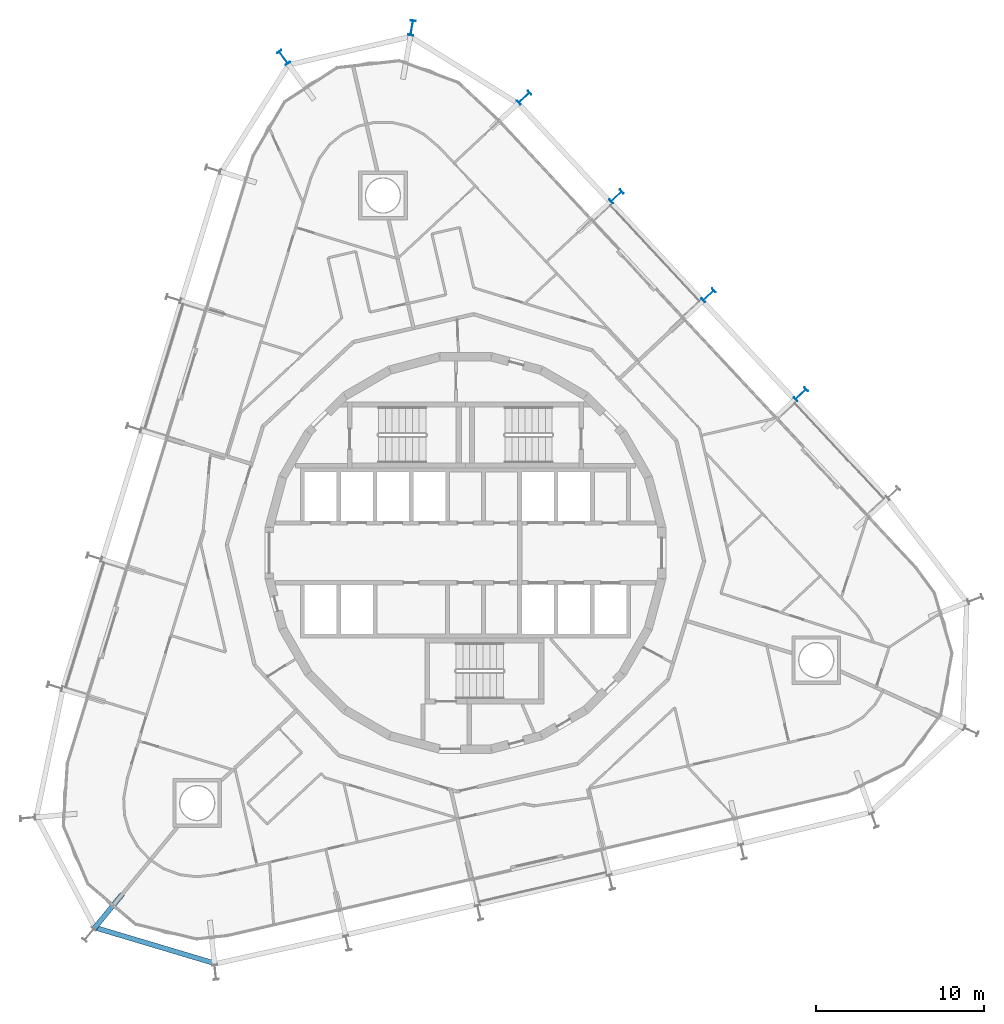
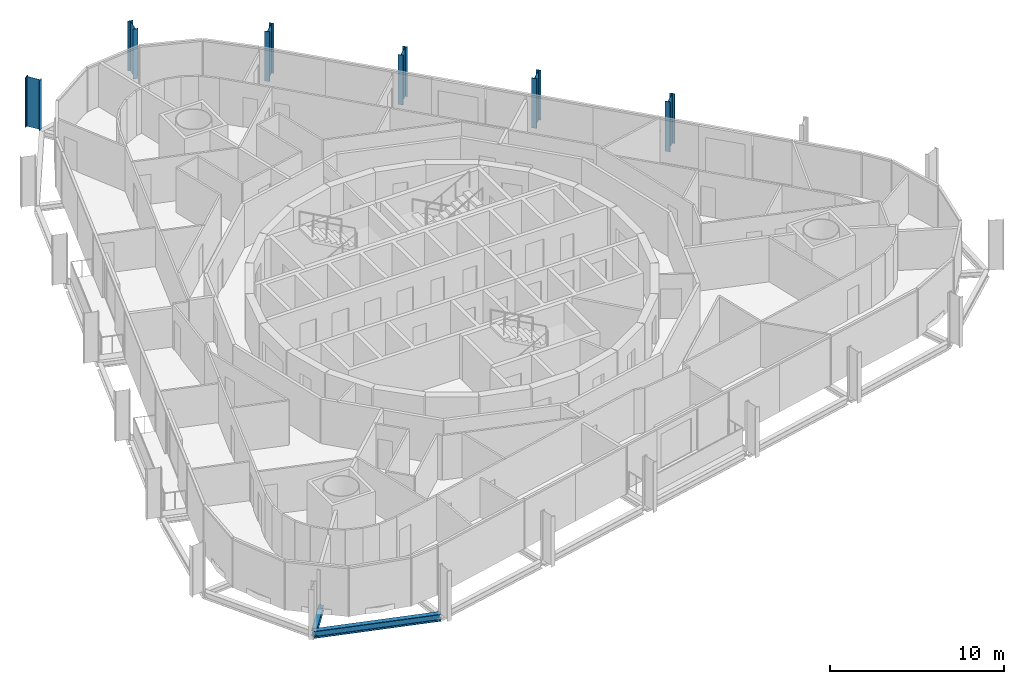
# One storey, part 2 of 18: 6 columns, 2 beams.
"""IFC4 building model written with IfcOpenShell, lengths in metres."""

from ifc_helpers import new_model, si_unit, direction, frame, origin, origin_2d, place, context, subcontext, project, spatial, i_section, extrude, material, material_profile, profile_set, type_object, element, save


model = new_model("IFC4")

# Units and contexts
model_context = context("Model", 3, precision=1e-05, world=origin(), true_north=direction((0.0, 1.0)))
body_context = subcontext(model_context, "Body", "Model", "MODEL_VIEW")
ifc_project = project(units=[si_unit("LENGTHUNIT", "METRE"), si_unit("AREAUNIT", "SQUARE_METRE"), si_unit("VOLUMEUNIT", "CUBIC_METRE"), si_unit("PLANEANGLEUNIT", "RADIAN"), si_unit("MASSUNIT", "GRAM", prefix="KILO")], contexts=[model_context])

# Site, building, storey
site_placement = place(None, origin())
site = spatial("IfcSite", under=ifc_project, at=site_placement, CompositionType="ELEMENT")
building_placement = place(site_placement, origin())
building = spatial("IfcBuilding", under=site, at=building_placement, Name="Spindle Arch Residences", CompositionType="ELEMENT")
storey_placement = place(building_placement, frame((0.0, 0.0, 116.89990234375)))
storey = spatial("IfcBuildingStorey", under=building, at=storey_placement, Name="L28", CompositionType="ELEMENT", Elevation=116.89990234375)

# Columns
ifc_material_1 = material(Name="Steel S460ML, intumescent coating R 240", Category="steel")
ifc_material_profile_1 = material_profile(ifc_material_1, i_section(OverallWidth=0.300048828125, OverallDepth=0.89990234375, WebThickness=0.0185546875, FlangeThickness=0.034912109375, FilletRadius=0.030029296875, at=origin_2d()), Name="HEB 900")
ifc_profile_set_1 = profile_set([ifc_material_profile_1], Name="Steel S460ML, intumescent coating R 240")
column_type = type_object("IfcColumnType", Name="Exoskeleton post HEB 900", PredefinedType="COLUMN", material=ifc_profile_set_1)
for number, where, z_axis, x_axis, name in (
    (1, (19.9150390625, 9.42236328125, -0.3798828125), (0.0, 0.0, 1.0), (0.68199801865, -0.731354019992, 0.0), "Exoskeleton post 7"),
    (2, (14.439208984375, 15.29443359375, -0.3798828125), (0.0, 0.0, 1.0), (0.68199801865, -0.731354019992, 0.0), "Exoskeleton post 8"),
    (3, (8.963134765625, 21.16650390625, -0.3798828125), (0.0, 0.0, 1.0), (0.68199801865, -0.731354019992, 0.0), "Exoskeleton post 9"),
    (4, (3.4873046875, 27.038818359375, -0.3798828125), (0.0, 0.0, 1.0), (0.68199801865, -0.731354019992, 0.0), "Exoskeleton post 10"),
    (5, (-3.185302734375, 31.177001953125, -0.3798828125), (0.0, 0.0, 1.0), (0.985484585876, -0.169764928655, 0.0), "Exoskeleton post 11"),
    (6, (-10.80419921875, 29.41796875, -0.3798828125), (0.0, 0.0, 1.0), (0.811328097008, 0.584591069898, 0.0), "Exoskeleton post 12"),
):
    element("IfcColumn", number, at=place(storey_placement, frame(where, z_axis=z_axis, x_axis=x_axis)), inside=storey, type_object=column_type, Name=name, PredefinedType="COLUMN", context=body_context, shape_type="SweptSolid", body=[
        extrude(i_section(OverallWidth=0.300048828125, OverallDepth=0.89990234375, WebThickness=0.0185546875, FlangeThickness=0.034912109375, FilletRadius=0.030029296875, at=origin_2d()), origin(), (0.0, 0.0, 1.0), 3.5),
    ])

# Beams
ifc_material_2 = material(Name="Steel S460ML, intumescent coating R 120", Category="steel")
ifc_material_profile_2 = material_profile(ifc_material_2, i_section(OverallWidth=0.300048828125, OverallDepth=0.5, WebThickness=0.014404296875, FlangeThickness=0.028076171875, FilletRadius=0.027099609375, at=origin_2d()), Name="HEB 500")
ifc_profile_set_2 = profile_set([ifc_material_profile_2], Name="Steel S460ML, intumescent coating R 120")
beam_type_1 = type_object("IfcBeamType", Name="Exoskeleton edge beam HEB 500", PredefinedType="BEAM", material=ifc_profile_set_2)
beam_1_placement = place(storey_placement, frame((-22.077392578125, -22.2265625, -0.6298828125), z_axis=(0.95815808572, -0.286239554865, 0.0), x_axis=(0.286239554865, 0.95815808572, 0.0)))
element("IfcBeam", 7, at=beam_1_placement, inside=storey, type_object=beam_type_1, Name="Exoskeleton edge beam 19", PredefinedType="BEAM", context=body_context, shape_type="SweptSolid", body=[
    extrude(i_section(OverallWidth=0.300048828125, OverallDepth=0.5, WebThickness=0.014404296875, FlangeThickness=0.028076171875, FilletRadius=0.027099609375, at=origin_2d()), origin(), (0.0, 0.0, 1.0), 7.5595703125),
])
ifc_material_3 = material(Name="Steel S460ML, intumescent coating R 120", Category="steel")
ifc_material_profile_3 = material_profile(ifc_material_3, i_section(OverallWidth=0.300048828125, OverallDepth=0.389892578125, WebThickness=0.010986328125, FlangeThickness=0.01904296875, FilletRadius=0.027099609375, at=origin_2d()), Name="HEA 400")
ifc_profile_set_3 = profile_set([ifc_material_profile_3], Name="Steel S460ML, intumescent coating R 120")
beam_type_2 = type_object("IfcBeamType", Name="Floor outrigger HEA 400", PredefinedType="BEAM", material=ifc_profile_set_3)
beam_2_placement = place(storey_placement, frame((-22.056396484375, -22.31103515625, -0.574951171875), z_axis=(0.634821942797, 0.772658463323, 0.0), x_axis=(-0.772658463323, 0.634821942797, 0.0)))
element("IfcBeam", 8, at=beam_2_placement, inside=storey, type_object=beam_type_2, Name="Floor outrigger 19", PredefinedType="BEAM", context=body_context, shape_type="SweptSolid", body=[
    extrude(i_section(OverallWidth=0.300048828125, OverallDepth=0.389892578125, WebThickness=0.010986328125, FlangeThickness=0.01904296875, FilletRadius=0.027099609375, at=origin_2d()), origin(), (0.0, 0.0, 1.0), 2.649658203125),
])

save(model, "model.ifc")
